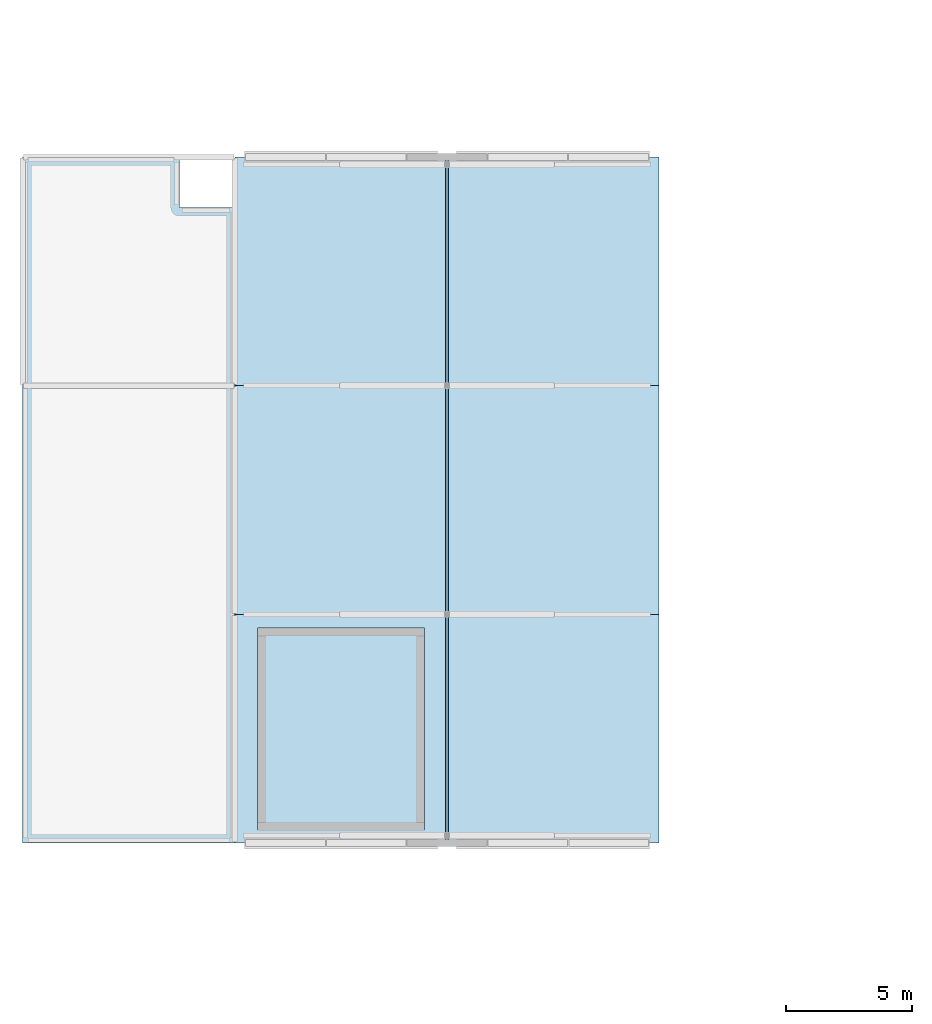
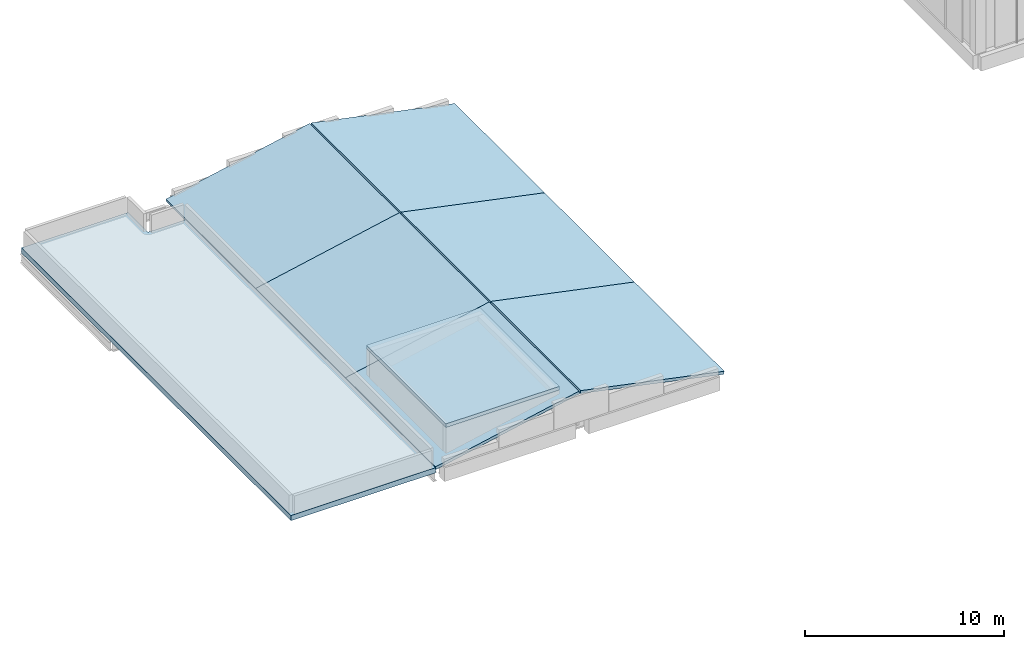
# One storey, part 12 of 28: 8 slabs.
"""IFC4 building model written with IfcOpenShell, lengths in metres."""

from ifc_helpers import new_model, si_unit, direction, frame, origin, place, context, subcontext, project, spatial, polyline, outline, extrude, material, layer, layer_set, type_object, element, save


model = new_model("IFC4")

# Units and contexts
model_context = context("Model", 3, precision=1e-05, world=origin(), true_north=direction((0.0, 1.0)))
body_context = subcontext(model_context, "Body", "Model", "MODEL_VIEW")
ifc_project = project(units=[si_unit("LENGTHUNIT", "METRE"), si_unit("AREAUNIT", "SQUARE_METRE"), si_unit("VOLUMEUNIT", "CUBIC_METRE"), si_unit("PLANEANGLEUNIT", "RADIAN"), si_unit("MASSUNIT", "GRAM", prefix="KILO")], contexts=[model_context])

# Site, building, storey
site_placement = place(None, origin())
site = spatial("IfcSite", under=ifc_project, at=site_placement, CompositionType="ELEMENT")
building_placement = place(site_placement, origin())
building = spatial("IfcBuilding", under=site, at=building_placement, Name="Khurvash Pelagic Aquarium", CompositionType="ELEMENT")
storey_placement = place(building_placement, frame((0.0, 0.0, 20.10009765625)))
storey = spatial("IfcBuildingStorey", under=building, at=storey_placement, Name="L04", CompositionType="ELEMENT", Elevation=20.10009765625)

# Slabs
ifc_material = material(Name="Concrete C35/45", Category="concrete")
ifc_layer_1 = layer(ifc_material, 0.179931640625)
ifc_layer_set_1 = layer_set([ifc_layer_1], Name="Concrete C35/45")
slab_type_1 = type_object("IfcSlabType", Name="RS-180", PredefinedType="ROOF", material=ifc_layer_set_1)
slab_1_placement = place(storey_placement, frame((16.800048828125, 65.949951171875, 0.0498046875), z_axis=(-0.202878258582, 0.0, 0.979203968637), x_axis=(0.979203968637, 0.0, 0.202878258582)))
element("IfcSlab", 1, at=slab_1_placement, inside=storey, type_object=slab_type_1, Name="L04 Education Pitched Roof West Slope RS-180", PredefinedType="ROOF", context=body_context, shape_type="SweptSolid", body=[
    extrude(outline(polyline([(0.0, 0.0), (8.52718512491969, 0.0), (8.52718512491969, 9.050048828125), (0.0, 9.050048828125), (0.0, 0.0)])), origin(), (0.0, 0.0, -1.0), 0.179931640625),
])
slab_2_placement = place(storey_placement, frame((25.25, 65.949951171875, 1.77978515625), z_axis=(0.202872570955, 0.0, 0.979205147022), x_axis=(0.979205147022, 0.0, -0.202872570955)))
element("IfcSlab", 2, at=slab_2_placement, inside=storey, type_object=slab_type_1, Name="L04 Education Pitched Roof East Slope RS-180", PredefinedType="ROOF", context=body_context, shape_type="SweptSolid", body=[
    extrude(outline(polyline([(0.0, 0.0), (8.527424188532445, 0.0), (8.527424188532445, 9.050048828125), (0.0, 9.050048828125), (0.0, 0.0)])), origin(), (0.0, 0.0, -1.0), 0.179931640625),
])
slab_3_placement = place(storey_placement, frame((16.800048828125, 75.0, 0.0498046875), z_axis=(-0.202878258582, 0.0, 0.979203968637), x_axis=(0.979203968637, 0.0, 0.202878258582)))
element("IfcSlab", 3, at=slab_3_placement, inside=storey, type_object=slab_type_1, Name="L04 Education Pitched Roof West Slope RS-180", PredefinedType="ROOF", context=body_context, shape_type="SweptSolid", body=[
    extrude(outline(polyline([(0.0, 0.0), (8.52718512491969, 0.0), (8.52718512491969, 9.050048828125), (0.0, 9.050048828125), (0.0, 0.0)])), origin(), (0.0, 0.0, -1.0), 0.179931640625),
])
slab_4_placement = place(storey_placement, frame((25.25, 75.0, 1.77978515625), z_axis=(0.202872570955, 0.0, 0.979205147022), x_axis=(0.979205147022, 0.0, -0.202872570955)))
element("IfcSlab", 4, at=slab_4_placement, inside=storey, type_object=slab_type_1, Name="L04 Education Pitched Roof East Slope RS-180", PredefinedType="ROOF", context=body_context, shape_type="SweptSolid", body=[
    extrude(outline(polyline([(0.0, 0.0), (8.527424188532445, 0.0), (8.527424188532445, 9.050048828125), (0.0, 9.050048828125), (0.0, 0.0)])), origin(), (0.0, 0.0, -1.0), 0.179931640625),
])
slab_5_placement = place(storey_placement, frame((16.800048828125, 84.050048828125, 0.0498046875), z_axis=(-0.202878258582, 0.0, 0.979203968637), x_axis=(0.979203968637, 0.0, 0.202878258582)))
element("IfcSlab", 5, at=slab_5_placement, inside=storey, type_object=slab_type_1, Name="L04 Education Pitched Roof West Slope RS-180", PredefinedType="ROOF", context=body_context, shape_type="SweptSolid", body=[
    extrude(outline(polyline([(0.0, 0.0), (8.52718512491969, 0.0), (8.52718512491969, 9.050048828125), (0.0, 9.050048828125), (0.0, 0.0)])), origin(), (0.0, 0.0, -1.0), 0.179931640625),
])
slab_6_placement = place(storey_placement, frame((25.25, 84.050048828125, 1.77978515625), z_axis=(0.202872570955, 0.0, 0.979205147022), x_axis=(0.979205147022, 0.0, -0.202872570955)))
element("IfcSlab", 6, at=slab_6_placement, inside=storey, type_object=slab_type_1, Name="L04 Education Pitched Roof East Slope RS-180", PredefinedType="ROOF", context=body_context, shape_type="SweptSolid", body=[
    extrude(outline(polyline([(0.0, 0.0), (8.527424188532445, 0.0), (8.527424188532445, 9.050048828125), (0.0, 9.050048828125), (0.0, 0.0)])), origin(), (0.0, 0.0, -1.0), 0.179931640625),
])
ifc_layer_2 = layer(ifc_material, 0.219970703125)
ifc_layer_set_2 = layer_set([ifc_layer_2], Name="Concrete C35/45")
slab_type_2 = type_object("IfcSlabType", Name="RS-220", PredefinedType="ROOF", material=ifc_layer_set_2)
slab_7_placement = place(storey_placement, frame((0.0, 0.0, 1.849853515625)))
element("IfcSlab", 7, at=slab_7_placement, inside=storey, type_object=slab_type_2, Name="L04 Core C5 Shaft Roof Cap Slab RS-220", PredefinedType="ROOF", context=body_context, shape_type="SweptSolid", body=[
    extrude(outline(polyline([(17.699951171875, 66.449951171875), (24.300048828125, 66.449951171875), (24.300048828125, 74.449951171875), (17.699951171875, 74.449951171875), (17.699951171875, 66.449951171875)])), origin(), (0.0, 0.0, 1.0), 0.219970703125),
])
ifc_layer_3 = layer(ifc_material, 0.320068359375)
ifc_layer_set_3 = layer_set([ifc_layer_3], Name="Concrete C35/45")
slab_type_3 = type_object("IfcSlabType", Name="RS-320", PredefinedType="ROOF", material=ifc_layer_set_3)
slab_8_placement = place(storey_placement, frame((0.0, 0.0, -0.320068359375)))
element("IfcSlab", 8, at=slab_8_placement, inside=storey, type_object=slab_type_3, Name="L04 Insulated Concrete Roof Slab RS-320 ROOF_L04_V4W.1", PredefinedType="ROOF", context=body_context, shape_type="SweptSolid", body=[
    extrude(outline(polyline([(16.800048828125, 91.10009765625), (14.60009765625, 91.10009765625), (14.60009765625, 93.10009765625), (8.39990234375, 93.10009765625), (8.39990234375, 65.949951171875), (16.800048828125, 65.949951171875), (16.800048828125, 91.10009765625)])), origin(), (0.0, 0.0, 1.0), 0.320068359375),
])

save(model, "model.ifc")
